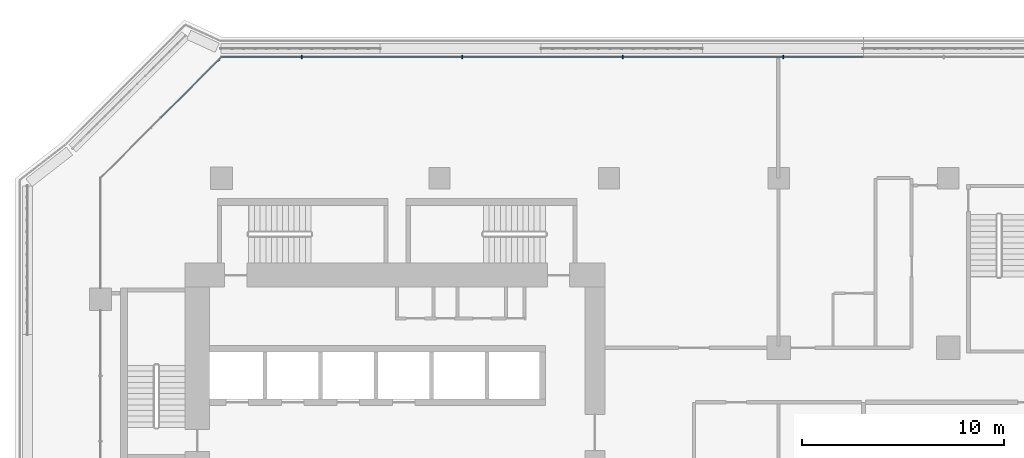
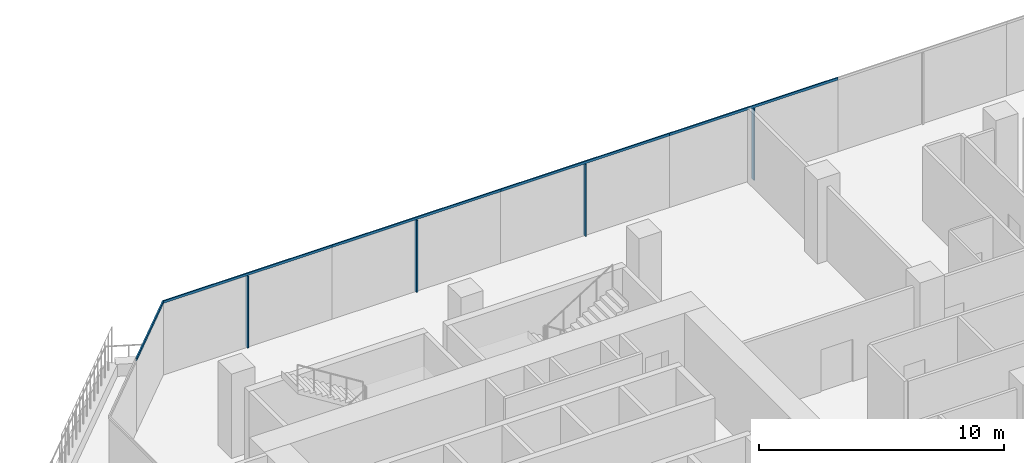
# One storey, part 7 of 23: 9 members, 2 elements without a shape of their own.
"""IFC4 building model written with IfcOpenShell, lengths in metres."""

from ifc_helpers import new_model, si_unit, direction, frame, origin, origin_2d, place, context, subcontext, project, spatial, rectangle, extrude, material, layer, layer_set, material_profile, profile_set, type_object, element, aggregate, save


model = new_model("IFC4")

# Units and contexts
model_context = context("Model", 3, precision=1e-05, world=origin(), true_north=direction((0.0, 1.0)))
body_context = subcontext(model_context, "Body", "Model", "MODEL_VIEW")
ifc_project = project(units=[si_unit("LENGTHUNIT", "METRE"), si_unit("AREAUNIT", "SQUARE_METRE"), si_unit("VOLUMEUNIT", "CUBIC_METRE"), si_unit("PLANEANGLEUNIT", "RADIAN"), si_unit("MASSUNIT", "GRAM", prefix="KILO")], contexts=[model_context])

# Site, building, storey
site_placement = place(None, origin())
site = spatial("IfcSite", under=ifc_project, at=site_placement, CompositionType="ELEMENT")
building_placement = place(site_placement, origin())
building = spatial("IfcBuilding", under=site, at=building_placement, Name="Kawkab Arch Medical Tower", CompositionType="ELEMENT")
storey_placement = place(building_placement, frame((0.0, 0.0, 149.199951171875)))
storey = spatial("IfcBuildingStorey", under=building, at=storey_placement, Name="L34", CompositionType="ELEMENT", Elevation=149.199951171875)

# Curtain wall, members
ifc_material_1 = material(Name="Bronze anodised aluminium curtain wall frame", Category="aluminium")
ifc_layer_1 = layer(ifc_material_1, 0.159912109375)
ifc_layer_set_1 = layer_set([ifc_layer_1], Name="Bronze anodised aluminium curtain wall frame")
curtain_wall_type_1 = type_object("IfcCurtainWallType", Name="CW1 ward curtain wall", PredefinedType="NOTDEFINED", material=ifc_layer_set_1)
placement = place(storey_placement, origin())
curtain_wall_1 = element("IfcCurtainWall", 1, at=placement, inside=storey, type_object=curtain_wall_type_1, Name="CW1 Ward curtain wall R11", PredefinedType="NOTDEFINED")
ifc_material_2 = material(Name="Bronze anodised aluminium curtain wall frame", Category="aluminium")
ifc_material_profile_1 = material_profile(ifc_material_2, rectangle(XDim=0.179931640625, YDim=0.06005859375, at=origin_2d()), Name="AL 60x180")
ifc_profile_set_1 = profile_set([ifc_material_profile_1], Name="Bronze anodised aluminium curtain wall frame")
member_type_1 = type_object("IfcMemberType", Name="CW1 mullion 60 x 180", PredefinedType="MULLION", material=ifc_profile_set_1)
member_1_placement = place(storey_placement, frame((33.824951171875, 6.0, 0.0), z_axis=(0.0, 0.0, 1.0), x_axis=(0.0, -1.0, 0.0)))
member_1 = element("IfcMember", 2, at=member_1_placement, type_object=member_type_1, Name="CW1 mullion 5.1", PredefinedType="MULLION", context=body_context, shape_type="SweptSolid", body=[
    extrude(rectangle(XDim=0.179931640625, YDim=0.06005859375, at=origin_2d()), origin(), (0.0, 0.0, 1.0), 3.580078125),
])
member_2_placement = place(storey_placement, frame((25.875, 6.0, 0.0), z_axis=(0.0, 0.0, 1.0), x_axis=(0.0, -1.0, 0.0)))
member_2 = element("IfcMember", 3, at=member_2_placement, type_object=member_type_1, Name="CW1 mullion 6.1", PredefinedType="MULLION", context=body_context, shape_type="SweptSolid", body=[
    extrude(rectangle(XDim=0.179931640625, YDim=0.06005859375, at=origin_2d()), origin(), (0.0, 0.0, 1.0), 3.580078125),
])
member_3_placement = place(storey_placement, frame((17.925048828125, 6.0, 0.0), z_axis=(0.0, 0.0, 1.0), x_axis=(0.0, -1.0, 0.0)))
member_3 = element("IfcMember", 4, at=member_3_placement, type_object=member_type_1, Name="CW1 mullion 7.1", PredefinedType="MULLION", context=body_context, shape_type="SweptSolid", body=[
    extrude(rectangle(XDim=0.179931640625, YDim=0.06005859375, at=origin_2d()), origin(), (0.0, 0.0, 1.0), 3.580078125),
])
member_4_placement = place(storey_placement, frame((9.97509765625, 6.0, 0.0), z_axis=(0.0, 0.0, 1.0), x_axis=(0.0, -1.0, 0.0)))
member_4 = element("IfcMember", 5, at=member_4_placement, type_object=member_type_1, Name="CW1 mullion 8.1", PredefinedType="MULLION", context=body_context, shape_type="SweptSolid", body=[
    extrude(rectangle(XDim=0.179931640625, YDim=0.06005859375, at=origin_2d()), origin(), (0.0, 0.0, 1.0), 3.580078125),
])
ifc_material_3 = material(Name="Bronze anodised aluminium curtain wall frame", Category="aluminium")
ifc_material_profile_2 = material_profile(ifc_material_3, rectangle(XDim=0.06005859375, YDim=0.1201171875, at=origin_2d()), Name="AL 60x120")
ifc_profile_set_2 = profile_set([ifc_material_profile_2], Name="Bronze anodised aluminium curtain wall frame")
member_type_2 = type_object("IfcMemberType", Name="CW1 transom 120 x 60", PredefinedType="USERDEFINED", material=ifc_profile_set_2)
member_5_placement = place(storey_placement, frame((37.800048828125, 6.0, 3.64013671875), z_axis=(-1.0, 0.0, 0.0), x_axis=(0.0, -1.0, 0.0)))
member_5 = element("IfcMember", 6, at=member_5_placement, type_object=member_type_2, Name="CW1 transom 5", ObjectType="TRANSOM", PredefinedType="USERDEFINED", context=body_context, shape_type="SweptSolid", body=[
    extrude(rectangle(XDim=0.06005859375, YDim=0.1201171875, at=origin_2d()), origin(), (0.0, 0.0, 1.0), 7.949951171875),
])
member_6_placement = place(storey_placement, frame((29.85009765625, 6.0, 3.64013671875), z_axis=(-1.0, 0.0, 0.0), x_axis=(0.0, -1.0, 0.0)))
member_6 = element("IfcMember", 7, at=member_6_placement, type_object=member_type_2, Name="CW1 transom 6", ObjectType="TRANSOM", PredefinedType="USERDEFINED", context=body_context, shape_type="SweptSolid", body=[
    extrude(rectangle(XDim=0.06005859375, YDim=0.1201171875, at=origin_2d()), origin(), (0.0, 0.0, 1.0), 7.9501953125),
])
member_7_placement = place(storey_placement, frame((21.89990234375, 6.0, 3.64013671875), z_axis=(-1.0, 0.0, 0.0), x_axis=(0.0, -1.0, 0.0)))
member_7 = element("IfcMember", 8, at=member_7_placement, type_object=member_type_2, Name="CW1 transom 7", ObjectType="TRANSOM", PredefinedType="USERDEFINED", context=body_context, shape_type="SweptSolid", body=[
    extrude(rectangle(XDim=0.06005859375, YDim=0.1201171875, at=origin_2d()), origin(), (0.0, 0.0, 1.0), 7.949951171875),
])
member_8_placement = place(storey_placement, frame((13.949951171875, 6.0, 3.64013671875), z_axis=(-1.0, 0.0, 0.0), x_axis=(0.0, -1.0, 0.0)))
member_8 = element("IfcMember", 9, at=member_8_placement, type_object=member_type_2, Name="CW1 transom 8", ObjectType="TRANSOM", PredefinedType="USERDEFINED", context=body_context, shape_type="SweptSolid", body=[
    extrude(rectangle(XDim=0.06005859375, YDim=0.1201171875, at=origin_2d()), origin(), (0.0, 0.0, 1.0), 7.949951171875),
])
aggregate(curtain_wall_1, [member_5, member_1, member_6, member_2, member_7, member_3, member_8, member_4])

# Curtain wall, member
ifc_material_4 = material(Name="Bronze anodised aluminium curtain wall frame", Category="aluminium")
ifc_layer_2 = layer(ifc_material_4, 0.159912109375)
ifc_layer_set_2 = layer_set([ifc_layer_2], Name="Bronze anodised aluminium curtain wall frame")
curtain_wall_type_2 = type_object("IfcCurtainWallType", Name="CW2 chamfer curtain wall", PredefinedType="NOTDEFINED", material=ifc_layer_set_2)
curtain_wall_2 = element("IfcCurtainWall", 10, at=placement, inside=storey, type_object=curtain_wall_type_2, Name="CW2 Chamfer curtain wall R12", PredefinedType="NOTDEFINED")
ifc_material_5 = material(Name="Bronze anodised aluminium curtain wall frame", Category="aluminium")
ifc_material_profile_3 = material_profile(ifc_material_5, rectangle(XDim=0.06005859375, YDim=0.139892578125, at=origin_2d()), Name="AL 60x140")
ifc_profile_set_3 = profile_set([ifc_material_profile_3], Name="Bronze anodised aluminium curtain wall frame")
member_type_3 = type_object("IfcMemberType", Name="CW2 transom 140 x 60", PredefinedType="USERDEFINED", material=ifc_profile_set_3)
member_9_placement = place(storey_placement, frame((6.0, 6.0, 3.630126953125), z_axis=(-0.707106781187, -0.707106781187, 0.0), x_axis=(0.707106781187, -0.707106781187, 0.0)))
member_9 = element("IfcMember", 11, at=member_9_placement, type_object=member_type_3, Name="CW2 transom 1", ObjectType="TRANSOM", PredefinedType="USERDEFINED", context=body_context, shape_type="SweptSolid", body=[
    extrude(rectangle(XDim=0.06005859375, YDim=0.139892578125, at=origin_2d()), origin(), (0.0, 0.0, 1.0), 4.24267578125),
])
aggregate(curtain_wall_2, [member_9])

save(model, "model.ifc")
